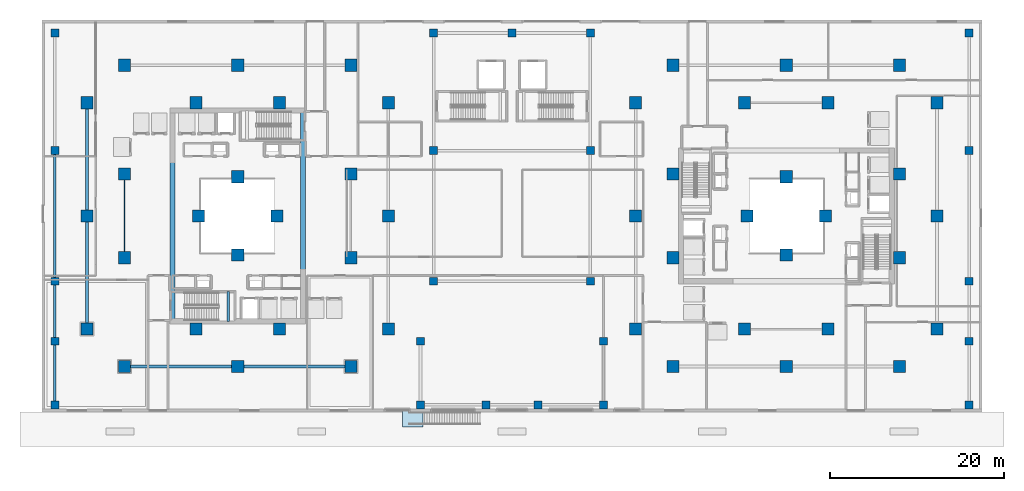
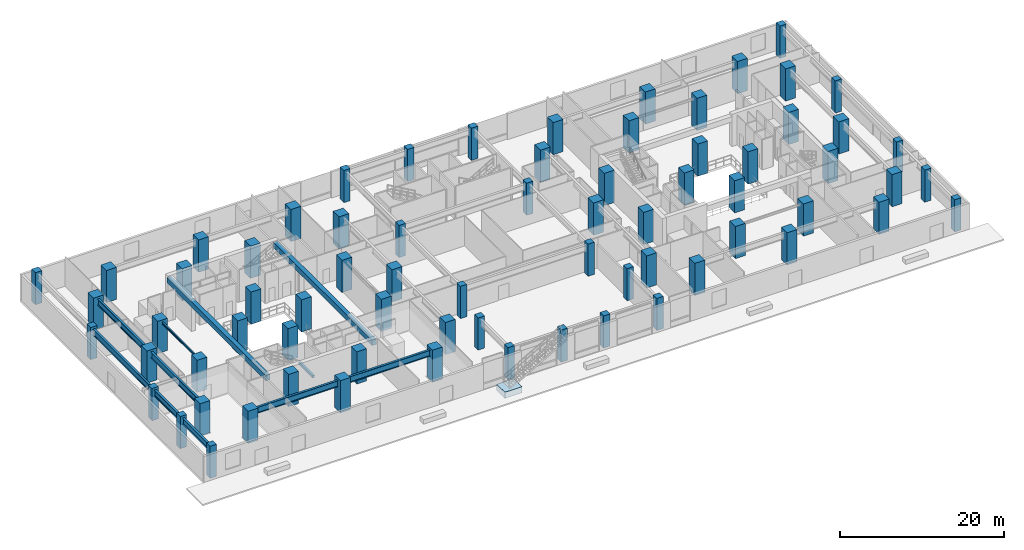
# One storey, part 1 of 24: 71 columns, 11 beams, 1 footing.
"""IFC4 building model written with IfcOpenShell, lengths in metres."""

from ifc_helpers import new_model, si_unit, direction, frame, origin, origin_2d, place, context, subcontext, project, spatial, rectangle, i_section, extrude, material, material_profile, profile_set, type_object, element, save


model = new_model("IFC4")

# Units and contexts
model_context = context("Model", 3, precision=1e-05, world=origin(), true_north=direction((0.0, 1.0)))
body_context = subcontext(model_context, "Body", "Model", "MODEL_VIEW")
ifc_project = project(units=[si_unit("LENGTHUNIT", "METRE"), si_unit("AREAUNIT", "SQUARE_METRE"), si_unit("VOLUMEUNIT", "CUBIC_METRE"), si_unit("PLANEANGLEUNIT", "RADIAN"), si_unit("MASSUNIT", "GRAM", prefix="KILO")], contexts=[model_context])

# Site, building, storey
site_placement = place(None, origin())
site = spatial("IfcSite", under=ifc_project, at=site_placement, CompositionType="ELEMENT")
building_placement = place(site_placement, origin())
building = spatial("IfcBuilding", under=site, at=building_placement, Name="Thornwick Lancets Civic Towers", CompositionType="ELEMENT")
storey_placement = place(building_placement, origin())
storey = spatial("IfcBuildingStorey", under=building, at=storey_placement, Name="L00", CompositionType="ELEMENT", Elevation=0.0)

# Footing
ifc_material_1 = material(Name="Concrete C40/50", Category="concrete")
footing_type = type_object("IfcFootingType", Name="FTG_POD_PAD", PredefinedType="PAD_FOOTING", material=ifc_material_1)
footing_placement = place(storey_placement, frame((45.60009765625, 3.75, -0.89990234375), z_axis=(0.0, 0.0, 1.0), x_axis=(1.0, 0.0, 0.0)))
element("IfcFooting", 1, at=footing_placement, inside=storey, type_object=footing_type, Name="L00 Cascade Garden Stair Footing", PredefinedType="PAD_FOOTING", context=body_context, shape_type="SweptSolid", body=[
    extrude(rectangle(XDim=2.39990234375, YDim=2.0, at=origin_2d()), origin(), (0.0, 0.0, 1.0), 0.89990234375),
])

# Columns
ifc_material_2 = material(Name="Concrete C60/75", Category="concrete")
ifc_material_profile_1 = material_profile(ifc_material_2, rectangle(XDim=1.39990234375, YDim=1.39990234375, at=origin_2d()), Name="RC 1400x1400")
ifc_profile_set_1 = profile_set([ifc_material_profile_1], Name="Concrete C60/75")
column_type_1 = type_object("IfcColumnType", Name="COL_RC_1400", PredefinedType="COLUMN", material=ifc_profile_set_1)
for number, where, z_axis, x_axis, name in (
    (2, (12.5, 9.699951171875, 0.0), (0.0, 0.0, 1.0), (1.0, 0.0, 0.0), "L00 Spine Mega-Column A01"),
    (3, (25.5, 9.699951171875, 0.0), (0.0, 0.0, 1.0), (1.0, 0.0, 0.0), "L00 Spine Mega-Column A02"),
    (4, (38.5, 9.699951171875, 0.0), (0.0, 0.0, 1.0), (1.0, 0.0, 0.0), "L00 Spine Mega-Column A03"),
    (5, (42.800048828125, 14.0, 0.0), (0.0, 0.0, 1.0), (1.0, 0.0, 0.0), "L00 Spine Mega-Column A04"),
    (6, (42.800048828125, 27.0, 0.0), (0.0, 0.0, 1.0), (1.0, 0.0, 0.0), "L00 Spine Mega-Column A05"),
    (7, (42.800048828125, 40.0, 0.0), (0.0, 0.0, 1.0), (1.0, 0.0, 0.0), "L00 Spine Mega-Column A06"),
    (8, (12.5, 44.300048828125, 0.0), (0.0, 0.0, 1.0), (1.0, 0.0, 0.0), "L00 Spine Mega-Column A07"),
    (9, (25.5, 44.300048828125, 0.0), (0.0, 0.0, 1.0), (1.0, 0.0, 0.0), "L00 Spine Mega-Column A08"),
    (10, (38.5, 44.300048828125, 0.0), (0.0, 0.0, 1.0), (1.0, 0.0, 0.0), "L00 Spine Mega-Column A09"),
    (11, (8.199951171875, 14.0, 0.0), (0.0, 0.0, 1.0), (1.0, 0.0, 0.0), "L00 Spine Mega-Column A10"),
    (12, (8.199951171875, 27.0, 0.0), (0.0, 0.0, 1.0), (1.0, 0.0, 0.0), "L00 Spine Mega-Column A11"),
    (13, (8.199951171875, 40.0, 0.0), (0.0, 0.0, 1.0), (1.0, 0.0, 0.0), "L00 Spine Mega-Column A12"),
    (14, (12.5, 22.199951171875, 0.0), (0.0, 0.0, 1.0), (1.0, 0.0, 0.0), "L00 Spine Mega-Column A13"),
    (15, (38.5, 22.199951171875, 0.0), (0.0, 0.0, 1.0), (1.0, 0.0, 0.0), "L00 Spine Mega-Column A14"),
    (16, (12.5, 31.800048828125, 0.0), (0.0, 0.0, 1.0), (1.0, 0.0, 0.0), "L00 Spine Mega-Column A15"),
    (17, (38.5, 31.800048828125, 0.0), (0.0, 0.0, 1.0), (1.0, 0.0, 0.0), "L00 Spine Mega-Column A16"),
    (18, (20.699951171875, 14.0, 0.0), (0.0, 0.0, 1.0), (1.0, 0.0, 0.0), "L00 Spine Mega-Column A17"),
    (19, (30.300048828125, 14.0, 0.0), (0.0, 0.0, 1.0), (1.0, 0.0, 0.0), "L00 Spine Mega-Column A18"),
    (20, (20.699951171875, 40.0, 0.0), (0.0, 0.0, 1.0), (1.0, 0.0, 0.0), "L00 Spine Mega-Column A19"),
    (21, (30.300048828125, 40.0, 0.0), (0.0, 0.0, 1.0), (1.0, 0.0, 0.0), "L00 Spine Mega-Column A20"),
    (22, (25.5, 22.5, 0.0), (0.0, 0.0, 1.0), (1.0, 0.0, 0.0), "L00 Spine Mega-Column A21"),
    (23, (25.5, 31.5, 0.0), (0.0, 0.0, 1.0), (1.0, 0.0, 0.0), "L00 Spine Mega-Column A22"),
    (24, (21.0, 27.0, 0.0), (0.0, 0.0, 1.0), (1.0, 0.0, 0.0), "L00 Spine Mega-Column A23"),
    (25, (30.0, 27.0, 0.0), (0.0, 0.0, 1.0), (1.0, 0.0, 0.0), "L00 Spine Mega-Column A24"),
    (26, (105.800048828125, 14.0, 0.0), (0.0, 0.0, 1.0), (1.0, 0.0, 0.0), "L00 Spine Mega-Column B01"),
    (27, (105.800048828125, 27.0, 0.0), (0.0, 0.0, 1.0), (1.0, 0.0, 0.0), "L00 Spine Mega-Column B02"),
    (28, (105.800048828125, 40.0, 0.0), (0.0, 0.0, 1.0), (1.0, 0.0, 0.0), "L00 Spine Mega-Column B03"),
    (29, (101.5, 44.300048828125, 0.0), (0.0, 0.0, 1.0), (1.0, 0.0, 0.0), "L00 Spine Mega-Column B04"),
    (30, (88.5, 44.300048828125, 0.0), (0.0, 0.0, 1.0), (1.0, 0.0, 0.0), "L00 Spine Mega-Column B05"),
    (31, (75.5, 44.300048828125, 0.0), (0.0, 0.0, 1.0), (1.0, 0.0, 0.0), "L00 Spine Mega-Column B06"),
    (32, (71.199951171875, 14.0, 0.0), (0.0, 0.0, 1.0), (1.0, 0.0, 0.0), "L00 Spine Mega-Column B07"),
    (33, (71.199951171875, 27.0, 0.0), (0.0, 0.0, 1.0), (1.0, 0.0, 0.0), "L00 Spine Mega-Column B08"),
    (34, (71.199951171875, 40.0, 0.0), (0.0, 0.0, 1.0), (1.0, 0.0, 0.0), "L00 Spine Mega-Column B09"),
    (35, (101.5, 9.699951171875, 0.0), (0.0, 0.0, 1.0), (1.0, 0.0, 0.0), "L00 Spine Mega-Column B10"),
    (36, (88.5, 9.699951171875, 0.0), (0.0, 0.0, 1.0), (1.0, 0.0, 0.0), "L00 Spine Mega-Column B11"),
    (37, (75.5, 9.699951171875, 0.0), (0.0, 0.0, 1.0), (1.0, 0.0, 0.0), "L00 Spine Mega-Column B12"),
    (38, (93.300048828125, 14.0, 0.0), (0.0, 0.0, 1.0), (1.0, 0.0, 0.0), "L00 Spine Mega-Column B13"),
    (39, (93.300048828125, 40.0, 0.0), (0.0, 0.0, 1.0), (1.0, 0.0, 0.0), "L00 Spine Mega-Column B14"),
    (40, (83.699951171875, 14.0, 0.0), (0.0, 0.0, 1.0), (1.0, 0.0, 0.0), "L00 Spine Mega-Column B15"),
    (41, (83.699951171875, 40.0, 0.0), (0.0, 0.0, 1.0), (1.0, 0.0, 0.0), "L00 Spine Mega-Column B16"),
    (42, (101.5, 22.199951171875, 0.0), (0.0, 0.0, 1.0), (1.0, 0.0, 0.0), "L00 Spine Mega-Column B17"),
    (43, (101.5, 31.800048828125, 0.0), (0.0, 0.0, 1.0), (1.0, 0.0, 0.0), "L00 Spine Mega-Column B18"),
    (44, (75.5, 22.199951171875, 0.0), (0.0, 0.0, 1.0), (1.0, 0.0, 0.0), "L00 Spine Mega-Column B19"),
    (45, (75.5, 31.800048828125, 0.0), (0.0, 0.0, 1.0), (1.0, 0.0, 0.0), "L00 Spine Mega-Column B20"),
    (46, (93.0, 27.0, 0.0), (0.0, 0.0, 1.0), (1.0, 0.0, 0.0), "L00 Spine Mega-Column B21"),
    (47, (84.0, 27.0, 0.0), (0.0, 0.0, 1.0), (1.0, 0.0, 0.0), "L00 Spine Mega-Column B22"),
    (48, (88.5, 22.5, 0.0), (0.0, 0.0, 1.0), (1.0, 0.0, 0.0), "L00 Spine Mega-Column B23"),
    (49, (88.5, 31.5, 0.0), (0.0, 0.0, 1.0), (1.0, 0.0, 0.0), "L00 Spine Mega-Column B24"),
):
    element("IfcColumn", number, at=place(storey_placement, frame(where, z_axis=z_axis, x_axis=x_axis)), inside=storey, type_object=column_type_1, Name=name, PredefinedType="COLUMN", context=body_context, shape_type="SweptSolid", body=[
        extrude(rectangle(XDim=1.39990234375, YDim=1.39990234375, at=origin_2d()), origin(), (0.0, 0.0, 1.0), 4.800048828125),
    ])
ifc_material_3 = material(Name="Concrete C50/60", Category="concrete")
ifc_material_profile_2 = material_profile(ifc_material_3, rectangle(XDim=0.89990234375, YDim=0.89990234375, at=origin_2d()), Name="RC 900x900")
ifc_profile_set_2 = profile_set([ifc_material_profile_2], Name="Concrete C50/60")
column_type_2 = type_object("IfcColumnType", Name="COL_RC_900", PredefinedType="COLUMN", material=ifc_profile_set_2)
for number, where, z_axis, x_axis, name in (
    (50, (4.5, 5.300048828125, 0.0), (0.0, 0.0, 1.0), (1.0, 0.0, 0.0), "L00 Podium Column P01"),
    (51, (46.5, 5.300048828125, 0.0), (0.0, 0.0, 1.0), (1.0, 0.0, 0.0), "L00 Podium Column P02"),
    (52, (54.0, 5.300048828125, 0.0), (0.0, 0.0, 1.0), (1.0, 0.0, 0.0), "L00 Podium Column P03"),
    (53, (60.0, 5.300048828125, 0.0), (0.0, 0.0, 1.0), (1.0, 0.0, 0.0), "L00 Podium Column P04"),
    (54, (67.5, 5.300048828125, 0.0), (0.0, 0.0, 1.0), (1.0, 0.0, 0.0), "L00 Podium Column P05"),
    (55, (109.5, 5.300048828125, 0.0), (0.0, 0.0, 1.0), (1.0, 0.0, 0.0), "L00 Podium Column P06"),
    (56, (4.5, 12.60009765625, 0.0), (0.0, 0.0, 1.0), (1.0, 0.0, 0.0), "L00 Podium Column P07"),
    (57, (46.5, 12.60009765625, 0.0), (0.0, 0.0, 1.0), (1.0, 0.0, 0.0), "L00 Podium Column P08"),
    (58, (67.5, 12.60009765625, 0.0), (0.0, 0.0, 1.0), (1.0, 0.0, 0.0), "L00 Podium Column P09"),
    (59, (109.5, 12.60009765625, 0.0), (0.0, 0.0, 1.0), (1.0, 0.0, 0.0), "L00 Podium Column P10"),
    (60, (4.5, 19.5, 0.0), (0.0, 0.0, 1.0), (1.0, 0.0, 0.0), "L00 Podium Column P11"),
    (61, (4.5, 34.5, 0.0), (0.0, 0.0, 1.0), (1.0, 0.0, 0.0), "L00 Podium Column P12"),
    (62, (4.5, 48.0, 0.0), (0.0, 0.0, 1.0), (1.0, 0.0, 0.0), "L00 Podium Column P13"),
    (63, (48.0, 19.5, 0.0), (0.0, 0.0, 1.0), (1.0, 0.0, 0.0), "L00 Podium Column P14"),
    (64, (66.0, 19.5, 0.0), (0.0, 0.0, 1.0), (1.0, 0.0, 0.0), "L00 Podium Column P15"),
    (65, (48.0, 34.5, 0.0), (0.0, 0.0, 1.0), (1.0, 0.0, 0.0), "L00 Podium Column P16"),
    (66, (66.0, 34.5, 0.0), (0.0, 0.0, 1.0), (1.0, 0.0, 0.0), "L00 Podium Column P17"),
    (67, (48.0, 48.0, 0.0), (0.0, 0.0, 1.0), (1.0, 0.0, 0.0), "L00 Podium Column P18"),
    (68, (57.0, 48.0, 0.0), (0.0, 0.0, 1.0), (1.0, 0.0, 0.0), "L00 Podium Column P19"),
    (69, (66.0, 48.0, 0.0), (0.0, 0.0, 1.0), (1.0, 0.0, 0.0), "L00 Podium Column P20"),
    (70, (109.5, 19.5, 0.0), (0.0, 0.0, 1.0), (1.0, 0.0, 0.0), "L00 Podium Column P21"),
    (71, (109.5, 34.5, 0.0), (0.0, 0.0, 1.0), (1.0, 0.0, 0.0), "L00 Podium Column P22"),
    (72, (109.5, 48.0, 0.0), (0.0, 0.0, 1.0), (1.0, 0.0, 0.0), "L00 Podium Column P23"),
):
    element("IfcColumn", number, at=place(storey_placement, frame(where, z_axis=z_axis, x_axis=x_axis)), inside=storey, type_object=column_type_2, Name=name, PredefinedType="COLUMN", context=body_context, shape_type="SweptSolid", body=[
        extrude(rectangle(XDim=0.89990234375, YDim=0.89990234375, at=origin_2d()), origin(), (0.0, 0.0, 1.0), 4.800048828125),
    ])

# Beams
ifc_material_profile_3 = material_profile(ifc_material_2, rectangle(XDim=0.60009765625, YDim=0.800048828125, at=origin_2d()), Name="RC 600x800")
ifc_profile_set_3 = profile_set([ifc_material_profile_3], Name="Concrete C60/75")
beam_type_1 = type_object("IfcBeamType", Name="BM_COUP_RC800", PredefinedType="BEAM", material=ifc_profile_set_3)
for number, where, z_axis, x_axis, name in (
    (73, (33.0, 14.89990234375, 4.080078125), (0.0, 1.0, 0.0), (-1.0, 0.0, 0.0), "CB-L00-A1"),
    (74, (18.0, 14.89990234375, 4.080078125), (0.0, 1.0, 0.0), (-1.0, 0.0, 0.0), "CB-L00-A2"),
):
    element("IfcBeam", number, at=place(storey_placement, frame(where, z_axis=z_axis, x_axis=x_axis)), inside=storey, type_object=beam_type_1, Name=name, PredefinedType="BEAM", context=body_context, shape_type="SweptSolid", body=[
        extrude(rectangle(XDim=0.60009765625, YDim=0.800048828125, at=origin_2d()), origin(), (0.0, 0.0, 1.0), 24.2001953125),
    ])
ifc_material_4 = material(Name="Steel S355JR", Category="steel")
ifc_material_profile_4 = material_profile(ifc_material_4, i_section(OverallWidth=0.1669921875, OverallDepth=0.310302734375, WebThickness=0.0078125, FlangeThickness=0.013671875, FilletRadius=0.0087890625, at=origin_2d()), Name="UKB 305x165x54")
ifc_profile_set_4 = profile_set([ifc_material_profile_4], Name="Steel S355JR")
beam_type_2 = type_object("IfcBeamType", Name="BM_LINTEL_305_54", PredefinedType="LINTEL", material=ifc_profile_set_4)
beam_1_placement = place(storey_placement, frame((12.5, 22.199951171875, 4.32470703125), z_axis=(0.0, 1.0, 0.0), x_axis=(-1.0, 0.0, 0.0)))
element("IfcBeam", 75, at=beam_1_placement, inside=storey, type_object=beam_type_2, Name="BM-INSP-L00-A-0-2", PredefinedType="LINTEL", context=body_context, shape_type="SweptSolid", body=[
    extrude(i_section(OverallWidth=0.1669921875, OverallDepth=0.310302734375, WebThickness=0.0078125, FlangeThickness=0.013671875, FilletRadius=0.0087890625, at=origin_2d()), origin(), (0.0, 0.0, 1.0), 9.60009765625),
])
ifc_material_profile_5 = material_profile(ifc_material_4, i_section(OverallWidth=0.3076171875, OverallDepth=0.926513671875, WebThickness=0.01953125, FlangeThickness=0.031982421875, FilletRadius=0.01904296875, at=origin_2d()), Name="UKB 914x305x289")
ifc_profile_set_5 = profile_set([ifc_material_profile_5], Name="Steel S355JR")
beam_type_3 = type_object("IfcBeamType", Name="BM_POD_914_289", PredefinedType="BEAM", material=ifc_profile_set_5)
beam_2_placement = place(storey_placement, frame((12.5, 9.699951171875, 4.0166015625), z_axis=(1.0, 0.0, 0.0), x_axis=(0.0, 1.0, 0.0)))
element("IfcBeam", 76, at=beam_2_placement, inside=storey, type_object=beam_type_3, Name="BM-SPINE-L00-A-0-1", PredefinedType="BEAM", context=body_context, shape_type="SweptSolid", body=[
    extrude(i_section(OverallWidth=0.3076171875, OverallDepth=0.926513671875, WebThickness=0.01953125, FlangeThickness=0.031982421875, FilletRadius=0.01904296875, at=origin_2d()), origin(), (0.0, 0.0, 1.0), 13.0),
])
beam_3_placement = place(storey_placement, frame((25.580078125, 9.699951171875, 4.0166015625), z_axis=(1.0, 0.0, 0.0), x_axis=(0.0, 1.0, 0.0)))
element("IfcBeam", 77, at=beam_3_placement, inside=storey, type_object=beam_type_3, Name="BM-SPINE-L00-A-1-2", PredefinedType="BEAM", context=body_context, shape_type="SweptSolid", body=[
    extrude(i_section(OverallWidth=0.3076171875, OverallDepth=0.926513671875, WebThickness=0.01953125, FlangeThickness=0.031982421875, FilletRadius=0.01904296875, at=origin_2d()), origin(), (0.0, 0.0, 1.0), 12.919921875),
])
beam_4_placement = place(storey_placement, frame((8.199951171875, 14.0, 4.0166015625), z_axis=(0.0, 1.0, 0.0), x_axis=(-1.0, 0.0, 0.0)))
element("IfcBeam", 78, at=beam_4_placement, inside=storey, type_object=beam_type_3, Name="BM-SPINE-L00-A-9-10", PredefinedType="BEAM", context=body_context, shape_type="SweptSolid", body=[
    extrude(i_section(OverallWidth=0.3076171875, OverallDepth=0.926513671875, WebThickness=0.01953125, FlangeThickness=0.031982421875, FilletRadius=0.01904296875, at=origin_2d()), origin(), (0.0, 0.0, 1.0), 13.0),
])
beam_5_placement = place(storey_placement, frame((8.199951171875, 27.080078125, 4.0166015625), z_axis=(0.0, 1.0, 0.0), x_axis=(-1.0, 0.0, 0.0)))
element("IfcBeam", 79, at=beam_5_placement, inside=storey, type_object=beam_type_3, Name="BM-SPINE-L00-A-10-11", PredefinedType="BEAM", context=body_context, shape_type="SweptSolid", body=[
    extrude(i_section(OverallWidth=0.3076171875, OverallDepth=0.926513671875, WebThickness=0.01953125, FlangeThickness=0.031982421875, FilletRadius=0.01904296875, at=origin_2d()), origin(), (0.0, 0.0, 1.0), 12.919921875),
])
beam_6_placement = place(storey_placement, frame((4.5, 5.300048828125, 4.0166015625), z_axis=(0.0, 1.0, 0.0), x_axis=(-1.0, 0.0, 0.0)))
element("IfcBeam", 80, at=beam_6_placement, inside=storey, type_object=beam_type_3, Name="BM-PODG-L00-0-6", PredefinedType="BEAM", context=body_context, shape_type="SweptSolid", body=[
    extrude(i_section(OverallWidth=0.3076171875, OverallDepth=0.926513671875, WebThickness=0.01953125, FlangeThickness=0.031982421875, FilletRadius=0.01904296875, at=origin_2d()), origin(), (0.0, 0.0, 1.0), 7.300048828125),
])
beam_7_placement = place(storey_placement, frame((4.5, 12.679931640625, 4.0166015625), z_axis=(0.0, 1.0, 0.0), x_axis=(-1.0, 0.0, 0.0)))
element("IfcBeam", 81, at=beam_7_placement, inside=storey, type_object=beam_type_3, Name="BM-PODG-L00-6-10", PredefinedType="BEAM", context=body_context, shape_type="SweptSolid", body=[
    extrude(i_section(OverallWidth=0.3076171875, OverallDepth=0.926513671875, WebThickness=0.01953125, FlangeThickness=0.031982421875, FilletRadius=0.01904296875, at=origin_2d()), origin(), (0.0, 0.0, 1.0), 6.820068359375),
])
beam_8_placement = place(storey_placement, frame((4.5, 19.580078125, 4.0166015625), z_axis=(0.0, 1.0, 0.0), x_axis=(-1.0, 0.0, 0.0)))
element("IfcBeam", 82, at=beam_8_placement, inside=storey, type_object=beam_type_3, Name="BM-PODG-L00-10-11", PredefinedType="BEAM", context=body_context, shape_type="SweptSolid", body=[
    extrude(i_section(OverallWidth=0.3076171875, OverallDepth=0.926513671875, WebThickness=0.01953125, FlangeThickness=0.031982421875, FilletRadius=0.01904296875, at=origin_2d()), origin(), (0.0, 0.0, 1.0), 14.919921875),
])
ifc_material_profile_6 = material_profile(ifc_material_1, rectangle(XDim=0.300048828125, YDim=0.35009765625, at=origin_2d()), Name="RC 300x350")
ifc_profile_set_6 = profile_set([ifc_material_profile_6], Name="Concrete C40/50")
beam_type_4 = type_object("IfcBeamType", Name="BM_STAIR_LDG", PredefinedType="BEAM", material=ifc_profile_set_6)
beam_9_placement = place(storey_placement, frame((24.43505859375, 14.89990234375, 1.97802734375), z_axis=(0.0, 1.0, 0.0), x_axis=(-1.0, 0.0, 0.0)))
element("IfcBeam", 83, at=beam_9_placement, inside=storey, type_object=beam_type_4, Name="L00 ST-A1 Landing Support Beam 1", PredefinedType="BEAM", context=body_context, shape_type="SweptSolid", body=[
    extrude(rectangle(XDim=0.300048828125, YDim=0.35009765625, at=origin_2d()), origin(), (0.0, 0.0, 1.0), 3.400146484375),
])

save(model, "model.ifc")
